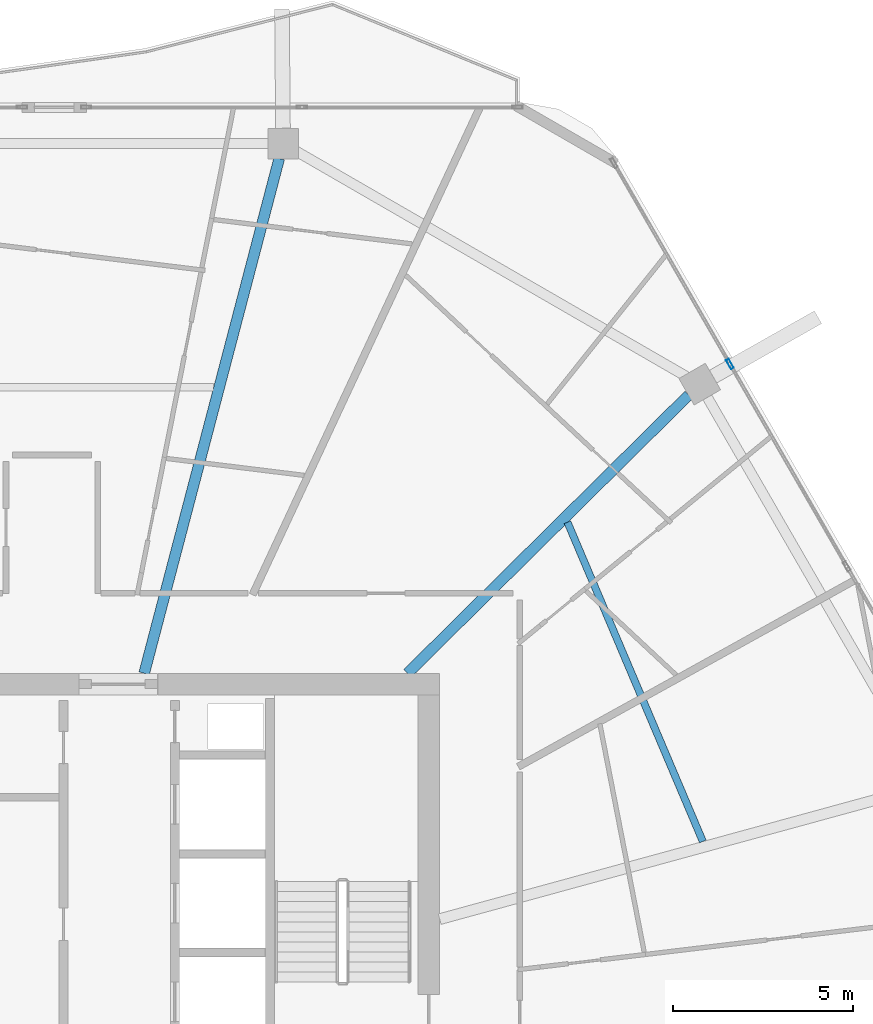
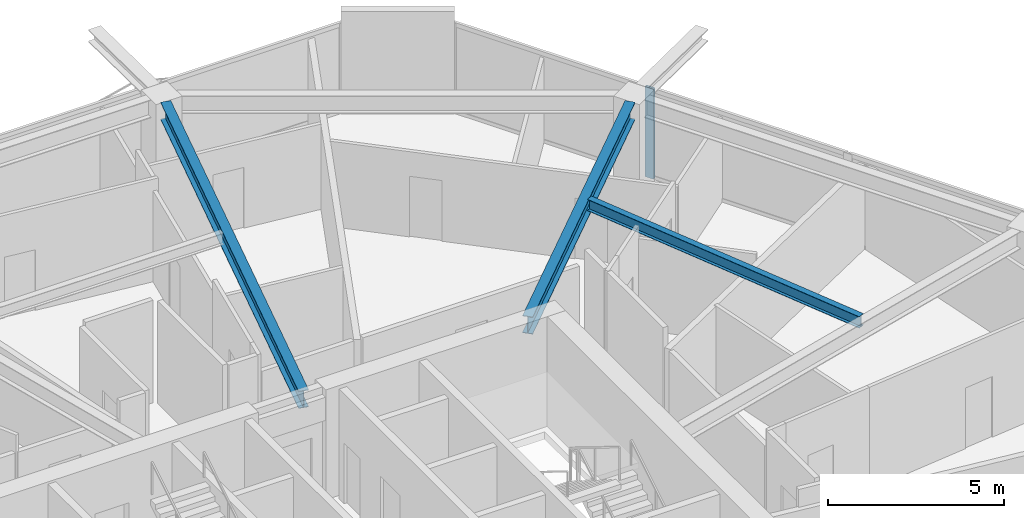
# One storey, part 15 of 27: 3 beams, 1 member, 1 element without a shape of its own.
"""IFC4 building model written with IfcOpenShell, lengths in metres."""

from ifc_helpers import new_model, si_unit, direction, frame, origin, origin_2d, place, context, subcontext, project, spatial, hollow_rectangle, i_section, extrude, material, material_profile, profile_set, type_object, element, aggregate, save


model = new_model("IFC4")

# Units and contexts
model_context = context("Model", 3, precision=1e-05, world=origin(), true_north=direction((0.0, 1.0)))
body_context = subcontext(model_context, "Body", "Model", "MODEL_VIEW")
ifc_project = project(units=[si_unit("LENGTHUNIT", "METRE"), si_unit("AREAUNIT", "SQUARE_METRE"), si_unit("VOLUMEUNIT", "CUBIC_METRE"), si_unit("PLANEANGLEUNIT", "RADIAN"), si_unit("MASSUNIT", "GRAM", prefix="KILO")], contexts=[model_context])

# Site, building, storey
site_placement = place(None, origin())
site = spatial("IfcSite", under=ifc_project, at=site_placement, CompositionType="ELEMENT")
building_placement = place(site_placement, origin())
building = spatial("IfcBuilding", under=site, at=building_placement, Name="Zuhravey Tower", CompositionType="ELEMENT")
storey_placement = place(building_placement, frame((0.0, 0.0, 265.39990234375)))
storey = spatial("IfcBuildingStorey", under=building, at=storey_placement, Name="L67", CompositionType="ELEMENT", Elevation=265.39990234375)

# Curtain wall, member
ifc_material_1 = material(Name="Thermally broken anodised aluminium", Category="aluminium")
curtain_wall_type = type_object("IfcCurtainWallType", Name="Zone 3-4 High-Rise Curtain Wall CW4", PredefinedType="NOTDEFINED", material=ifc_material_1)
curtain_wall_placement = place(storey_placement, origin())
curtain_wall = element("IfcCurtainWall", 1, at=curtain_wall_placement, inside=storey, type_object=curtain_wall_type, Name="L67 CW4 CW-L67-F1-1", PredefinedType="NOTDEFINED")
ifc_material_2 = material(Name="Anodised aluminium", Category="aluminium")
ifc_material_profile_1 = material_profile(ifc_material_2, hollow_rectangle(XDim=0.090087890625, YDim=0.284912109375, WallThickness=0.0048828125, at=origin_2d()), Name="ALU-RHS-90x285x5")
ifc_profile_set_1 = profile_set([ifc_material_profile_1], Name="Anodised aluminium")
member_type = type_object("IfcMemberType", Name="Curtain-Wall Mullion 90x180", PredefinedType="MULLION", material=ifc_profile_set_1)
member_placement = place(storey_placement, frame((54.885498046875, 50.41650390625, 0.0), z_axis=(0.0, 0.0, 1.0), x_axis=(0.866024851021, 0.500000957414, 0.0)))
member = element("IfcMember", 2, at=member_placement, type_object=member_type, Name="CW4 mullion 2", PredefinedType="MULLION", context=body_context, shape_type="SweptSolid", body=[
    extrude(hollow_rectangle(XDim=0.090087890625, YDim=0.284912109375, WallThickness=0.0048828125, at=origin_2d()), origin(), (0.0, 0.0, 1.0), 3.1220703125),
])
aggregate(curtain_wall, [member])

# Beams
ifc_material_3 = material(Name="Steel SM355", Category="steel")
ifc_material_profile_2 = material_profile(ifc_material_3, i_section(OverallWidth=0.300048828125, OverallDepth=0.60009765625, WebThickness=0.011962890625, FlangeThickness=0.02001953125, at=origin_2d()), Name="H-600x300x12x20")
ifc_profile_set_2 = profile_set([ifc_material_profile_2], Name="Steel SM355")
beam_type_1 = type_object("IfcBeamType", Name="Radial Primary Girder H600x300", PredefinedType="BEAM", material=ifc_profile_set_2)
beam_1_placement = place(storey_placement, frame((45.90673828125, 41.802978515625, 3.25), z_axis=(0.710808169267, 0.70338591577, 0.0), x_axis=(-0.70338591577, 0.710808169267, 0.0)))
element("IfcBeam", 3, at=beam_1_placement, inside=storey, type_object=beam_type_1, Name="L67 RG3 BM-L67-RAD-02", PredefinedType="BEAM", context=body_context, shape_type="SweptSolid", body=[
    extrude(i_section(OverallWidth=0.300048828125, OverallDepth=0.60009765625, WebThickness=0.011962890625, FlangeThickness=0.02001953125, at=origin_2d()), origin(), (0.0, 0.0, 1.0), 11.019287109375),
])
beam_2_placement = place(storey_placement, frame((38.571533203125, 41.802978515625, 3.25), z_axis=(0.25373188956, 0.967274587809, 0.0), x_axis=(-0.967274587809, 0.25373188956, 0.0)))
element("IfcBeam", 4, at=beam_2_placement, inside=storey, type_object=beam_type_1, Name="L67 RG3 BM-L67-RAD-03", PredefinedType="BEAM", context=body_context, shape_type="SweptSolid", body=[
    extrude(i_section(OverallWidth=0.300048828125, OverallDepth=0.60009765625, WebThickness=0.011962890625, FlangeThickness=0.02001953125, at=origin_2d()), origin(), (0.0, 0.0, 1.0), 14.82177734375),
])
ifc_material_profile_3 = material_profile(ifc_material_3, i_section(OverallWidth=0.199951171875, OverallDepth=0.39990234375, WebThickness=0.008056640625, FlangeThickness=0.012939453125, at=origin_2d()), Name="H-400x200x8x13")
ifc_profile_set_3 = profile_set([ifc_material_profile_3], Name="Steel SM355")
beam_type_2 = type_object("IfcBeamType", Name="Secondary Floor Joist H400x200", PredefinedType="JOIST", material=ifc_profile_set_3)
beam_3_placement = place(storey_placement, frame((54.130859375, 37.118896484375, 3.35009765625), z_axis=(-0.390413493754, 0.920639616731, 0.0), x_axis=(-0.920639616731, -0.390413493754, 0.0)))
element("IfcBeam", 5, at=beam_3_placement, inside=storey, type_object=beam_type_2, Name="L67 SJ2 BM-L67-SJ-01-1", PredefinedType="JOIST", context=body_context, shape_type="SweptSolid", body=[
    extrude(i_section(OverallWidth=0.199951171875, OverallDepth=0.39990234375, WebThickness=0.008056640625, FlangeThickness=0.012939453125, at=origin_2d()), origin(), (0.0, 0.0, 1.0), 9.656494140625),
])

save(model, "model.ifc")
